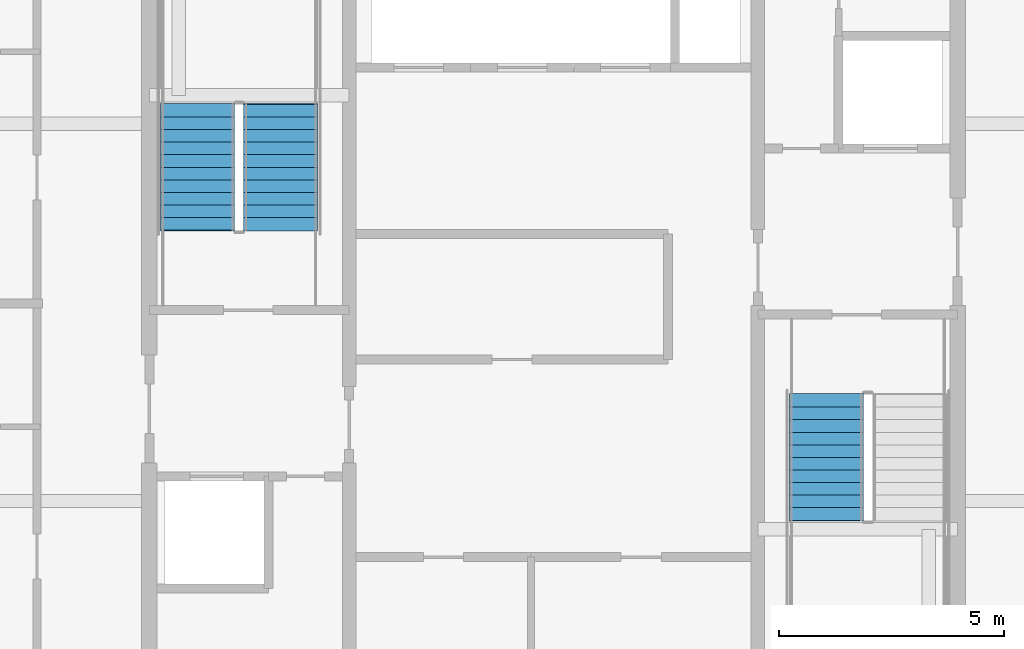
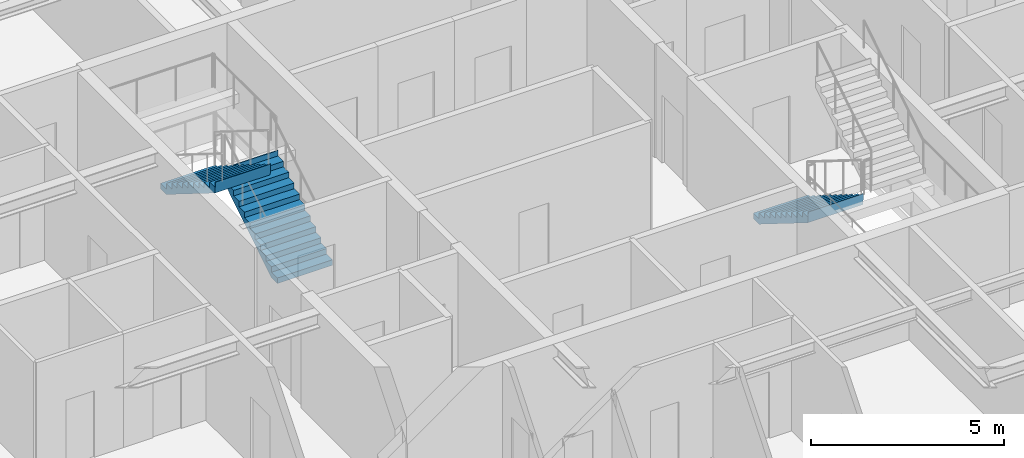
# One storey, part 32 of 38: 3 stair flights, 2 elements without a shape of their own.
"""IFC4 building model written with IfcOpenShell, lengths in metres."""

import ifcopenshell
import ifcopenshell.guid

model = None  # the IFC model being written
_history = None  # IfcOwnerHistory: only IFC2X3 demands one
_inside = {}  # id of a spatial element -> (the spatial element, [elements in it])
_under = {}  # id of a project, library or spatial element -> (it, [spatial elements below it])
_declared = {}  # id of a project -> (the project, [libraries it declares])
_typed = {}  # id of a type object -> (the type object, [elements of that type])
_made_of = {}  # id of a material, layer set ... -> (it, [elements and type objects made of it])


def new_model(schema):
    """Start an empty IFC model of exactly this schema.

    Asked for "IFC4X3", IfcOpenShell would pick the latest addendum, in which some entities
    have other attributes; the version numbers below select the first issue.
    IFC2X3 requires an IfcOwnerHistory on every rooted entity: one is made here for all.
    """
    global model, _history
    if schema == "IFC4X3":
        model = ifcopenshell.file(schema_version=(4, 3, 0, 0))
    else:
        model = ifcopenshell.file(schema=schema)
    _inside.clear()
    _under.clear()
    _declared.clear()
    _typed.clear()
    _made_of.clear()
    _history = None
    if model.schema == "IFC2X3":
        org = make("IfcOrganization", Name="unknown")
        user = make(
            "IfcPersonAndOrganization",
            ThePerson=make("IfcPerson", FamilyName="unknown"),
            TheOrganization=org,
        )
        app = make(
            "IfcApplication",
            ApplicationDeveloper=org,
            Version="unknown",
            ApplicationFullName="unknown",
            ApplicationIdentifier="unknown",
        )
        _history = make(
            "IfcOwnerHistory",
            OwningUser=user,
            OwningApplication=app,
            ChangeAction="ADDED",
            CreationDate=0,
        )
    return model


def make(cls, **values):
    """One entity of the class cls with the attributes given. An attribute that is None is left unset."""
    return model.create_entity(
        cls, **{name: value for name, value in values.items() if value is not None}
    )


def rooted(cls, **values):
    """An entity with a GlobalId (a new one), such as an element, a storey or a relation."""
    return make(cls, GlobalId=ifcopenshell.guid.new(), OwnerHistory=_history, **values)


def si_unit(unit_type, name, prefix=None):
    """IfcSIUnit, for example si_unit("LENGTHUNIT", "METRE", prefix="MILLI")."""
    return make("IfcSIUnit", UnitType=unit_type, Prefix=prefix, Name=name)


def assignment(units):
    """IfcUnitAssignment: the units of a project."""
    return None if units is None else make("IfcUnitAssignment", Units=units)


def point(xyz):
    """IfcCartesianPoint."""
    return None if xyz is None else make("IfcCartesianPoint", Coordinates=xyz)


def direction(xyz):
    """IfcDirection."""
    return None if xyz is None else make("IfcDirection", DirectionRatios=xyz)


def frame(location, z_axis=None, x_axis=None):
    """IfcAxis2Placement3D, a coordinate frame: its origin and axes. An axis left out is left unset."""
    return make(
        "IfcAxis2Placement3D",
        Location=point(location),
        Axis=direction(z_axis),
        RefDirection=direction(x_axis),
    )


def origin():
    """The frame at (0, 0, 0) with its axes left unset."""
    return frame((0.0, 0.0, 0.0))


def place(relative_to, where):
    """IfcLocalPlacement: puts the frame where relative to a parent placement (None: the world)."""
    return make(
        "IfcLocalPlacement", PlacementRelTo=relative_to, RelativePlacement=where
    )


def context(
    kind, dimensions, precision=None, world=None, true_north=None, identifier=None
):
    """IfcGeometricRepresentationContext, for example the 3D "Model" context."""
    return make(
        "IfcGeometricRepresentationContext",
        ContextIdentifier=identifier,
        ContextType=kind,
        CoordinateSpaceDimension=dimensions,
        Precision=precision,
        WorldCoordinateSystem=world,
        TrueNorth=true_north,
    )


def subcontext(parent, identifier, kind, view, scale=None):
    """IfcGeometricRepresentationSubContext, for example "Body" below "Model"."""
    return make(
        "IfcGeometricRepresentationSubContext",
        ContextIdentifier=identifier,
        ContextType=kind,
        ParentContext=parent,
        TargetScale=scale,
        TargetView=view,
    )


def project(units=None, contexts=None):
    """IfcProject with its units and contexts."""
    return rooted(
        "IfcProject",
        Name="project",
        RepresentationContexts=contexts,
        UnitsInContext=assignment(units),
    )


def spatial(cls, under=None, at=None, **own):
    """A site, building, storey or space (cls), placed at a placement, below another one or the project."""
    s = rooted(cls, ObjectPlacement=at, **own)
    if under is not None:
        _under.setdefault(under.id(), (under, []))[1].append(s)
    return s


def point_list(points):
    """IfcCartesianPointList2D or 3D."""
    cls = (
        "IfcCartesianPointList2D" if len(points[0]) == 2 else "IfcCartesianPointList3D"
    )
    return make(cls, CoordList=points)


def polygons(points, faces, closed=None, point_numbers=None):
    """IfcPolygonalFaceSet: a face is its outer loop, then its inner loops; points numbered from 1."""
    made = []
    for loops in faces:
        if len(loops) == 1:
            made.append(make("IfcIndexedPolygonalFace", CoordIndex=loops[0]))
        else:
            made.append(
                make(
                    "IfcIndexedPolygonalFaceWithVoids",
                    CoordIndex=loops[0],
                    InnerCoordIndices=loops[1:],
                )
            )
    return make(
        "IfcPolygonalFaceSet",
        Coordinates=point_list(points),
        Closed=closed,
        Faces=made,
        PnIndex=point_numbers,
    )


def shape(context_of_items, identifier, shape_type, items):
    """IfcShapeRepresentation: the items that make up one representation, for example the "Body"."""
    return make(
        "IfcShapeRepresentation",
        ContextOfItems=context_of_items,
        RepresentationIdentifier=identifier,
        RepresentationType=shape_type,
        Items=items,
    )


def material(Name=None, Category=None):
    """IfcMaterial."""
    return make("IfcMaterial", Name=Name, Category=Category)


def made_of(thing, what):
    """Note that an element or type object is made of a material, layer set ...; save() writes the relation."""
    if what is not None:
        _made_of.setdefault(what.id(), (what, []))[1].append(thing)
    return thing


def type_object(cls, material=None, **own):
    """A type object (cls), such as IfcWallType, which elements share."""
    return made_of(rooted(cls, **own), material)


def element(
    cls,
    number,
    at=None,
    inside=None,
    cuts=None,
    type_object=None,
    material=None,
    context=None,
    identifier="Body",
    shape_type=None,
    held_by="IfcProductDefinitionShape",
    body=None,
    shapes=None,
    **own,
):
    """One element of the class cls, such as IfcWall. Its Tag is "e" and its number.

    at: its placement. inside: the storey or other place that contains it. cuts: it is an
    opening in that element (IfcRelVoidsElement). A single representation is given by context,
    identifier, shape_type and body (its items); several are given by shapes. held_by: the class
    of the entity that holds the representations. save() writes the other relations.
    """
    e = rooted(cls, Tag="e%d" % number, ObjectPlacement=at, **own)
    if body is not None:
        shapes = [shape(context, identifier, shape_type, body)]
    if shapes is not None:
        e.Representation = make(held_by, Representations=shapes)
    if inside is not None:
        _inside.setdefault(inside.id(), (inside, []))[1].append(e)
    if cuts is not None:
        rooted(
            "IfcRelVoidsElement", RelatingBuildingElement=cuts, RelatedOpeningElement=e
        )
    if type_object is not None:
        _typed.setdefault(type_object.id(), (type_object, []))[1].append(e)
    return made_of(e, material)


def aggregate(whole, parts):
    """IfcRelAggregates: a whole, such as a stair, and the parts it consists of."""
    return rooted("IfcRelAggregates", RelatingObject=whole, RelatedObjects=parts)


def save(model, path):
    """Write the relations noted so far, then the file.

    IfcRelAggregates (storeys below a building ...), IfcRelContainedInSpatialStructure (elements
    in a storey), IfcRelDefinesByType, IfcRelAssociatesMaterial and IfcRelDeclares: one each for
    every whole, place, type object, material and project.
    """
    for whole, parts in _under.values():
        aggregate(whole, parts)
    for where, things in _inside.values():
        rooted(
            "IfcRelContainedInSpatialStructure",
            RelatedElements=things,
            RelatingStructure=where,
        )
    for kind, things in _typed.values():
        rooted("IfcRelDefinesByType", RelatedObjects=things, RelatingType=kind)
    for what, things in _made_of.values():
        rooted("IfcRelAssociatesMaterial", RelatedObjects=things, RelatingMaterial=what)
    for by, libraries in _declared.values():
        rooted("IfcRelDeclares", RelatingContext=by, RelatedDefinitions=libraries)
    model.write(path)


model = new_model("IFC4")

# Units and contexts
model_context = context("Model", 3, precision=1e-05, world=origin(), true_north=direction((0.0, 1.0)))
body_context = subcontext(model_context, "Body", "Model", "MODEL_VIEW")
ifc_project = project(units=[si_unit("LENGTHUNIT", "METRE"), si_unit("AREAUNIT", "SQUARE_METRE"), si_unit("VOLUMEUNIT", "CUBIC_METRE"), si_unit("PLANEANGLEUNIT", "RADIAN"), si_unit("MASSUNIT", "GRAM", prefix="KILO")], contexts=[model_context])

# Site, building, storey
site_placement = place(None, origin())
site = spatial("IfcSite", under=ifc_project, at=site_placement, CompositionType="ELEMENT")
building_placement = place(site_placement, origin())
building = spatial("IfcBuilding", under=site, at=building_placement, Name="Serunith Strait Residences", CompositionType="ELEMENT")
storey_placement = place(building_placement, frame((0.0, 0.0, 229.699951171875)))
storey = spatial("IfcBuildingStorey", under=building, at=storey_placement, Name="L57", CompositionType="ELEMENT", Elevation=229.699951171875)

# Stair, stair flights
ifc_material = material(Name="Concrete C50/60", Category="concrete")
stair_type_1 = type_object("IfcStairType", Name="STR-CORE-1", PredefinedType="HALF_TURN_STAIR", material=ifc_material)
stair_1_placement = place(storey_placement, origin())
stair_1 = element("IfcStair", 1, at=stair_1_placement, inside=storey, type_object=stair_type_1, Name="L57 Protected Escape Stair ST-1", PredefinedType="HALF_TURN_STAIR")
stair_flight_type_1 = type_object("IfcStairFlightType", Name="FLT-CORE-1", PredefinedType="STRAIGHT", material=ifc_material)
stair_flight_1_placement = place(storey_placement, frame((26.324951171875, 27.030029296875, 0.0), z_axis=(0.0, 0.0, 1.0), x_axis=(0.0, 1.0, 0.0)))
stair_flight_1 = element("IfcStairFlight", 2, at=stair_flight_1_placement, type_object=stair_flight_type_1, Name="ST-1 flight 1", NumberOfRisers=11, NumberOfTreads=10, PredefinedType="STRAIGHT", RiserHeight=0.175, TreadLength=0.28, context=body_context, shape_type="Tessellation", body=[
    polygons([(-0.02001953125, -0.824951171875, 0.0), (-0.02001953125, -0.824951171875, 0.175048828125), (0.280029296875, -0.824951171875, 0.175048828125), (0.280029296875, -0.824951171875, 0.35009765625), (0.56005859375, -0.824951171875, 0.35009765625), (0.56005859375, -0.824951171875, 0.52490234375), (0.840087890625, -0.824951171875, 0.52490234375), (0.840087890625, -0.824951171875, 0.699951171875), (1.1201171875, -0.824951171875, 0.699951171875), (1.1201171875, -0.824951171875, 0.875), (1.39990234375, -0.824951171875, 0.875), (1.39990234375, -0.824951171875, 1.050048828125), (1.679931640625, -0.824951171875, 1.050048828125), (1.679931640625, -0.824951171875, 1.22509765625), (1.9599609375, -0.824951171875, 1.22509765625), (1.9599609375, -0.824951171875, 1.39990234375), (2.239990234375, -0.824951171875, 1.39990234375), (2.239990234375, -0.824951171875, 1.574951171875), (2.52001953125, -0.824951171875, 1.574951171875), (2.52001953125, -0.824951171875, 1.75), (2.800048828125, -0.824951171875, 1.75), (2.800048828125, -0.824951171875, 1.925048828125), (2.820068359375, -0.824951171875, 1.925048828125), (2.820068359375, -0.824951171875, 1.864990234375), (2.800048828125, -0.824951171875, 1.5732421875), (0.28271484375, -0.824951171875, 0.0), (-0.02001953125, -0.41259765625, 0.0), (-0.02001953125, -0.41259765625, 0.175048828125), (0.280029296875, -0.41259765625, 0.175048828125), (0.280029296875, -0.41259765625, 0.35009765625), (0.56005859375, -0.41259765625, 0.35009765625), (0.56005859375, -0.41259765625, 0.52490234375), (0.840087890625, -0.41259765625, 0.52490234375), (0.840087890625, -0.41259765625, 0.699951171875), (1.1201171875, -0.41259765625, 0.699951171875), (1.1201171875, -0.41259765625, 0.875), (1.39990234375, -0.41259765625, 0.875), (1.39990234375, -0.41259765625, 1.050048828125), (1.679931640625, -0.41259765625, 1.050048828125), (1.679931640625, -0.41259765625, 1.22509765625), (1.9599609375, -0.41259765625, 1.22509765625), (1.9599609375, -0.41259765625, 1.39990234375), (2.239990234375, -0.41259765625, 1.39990234375), (2.239990234375, -0.41259765625, 1.574951171875), (2.52001953125, -0.41259765625, 1.574951171875), (2.52001953125, -0.41259765625, 1.75), (2.800048828125, -0.41259765625, 1.75), (2.800048828125, -0.41259765625, 1.925048828125), (2.820068359375, -0.41259765625, 1.925048828125), (2.820068359375, -0.41259765625, 1.864990234375), (2.800048828125, -0.41259765625, 1.5732421875), (0.28271484375, -0.41259765625, 0.0), (-0.02001953125, 0.0, 0.0), (-0.02001953125, 0.0, 0.175048828125), (0.280029296875, 0.0, 0.175048828125), (0.280029296875, 0.0, 0.35009765625), (0.56005859375, 0.0, 0.35009765625), (0.56005859375, 0.0, 0.52490234375), (0.840087890625, 0.0, 0.52490234375), (0.840087890625, 0.0, 0.699951171875), (1.1201171875, 0.0, 0.699951171875), (1.1201171875, 0.0, 0.875), (1.39990234375, 0.0, 0.875), (1.39990234375, 0.0, 1.050048828125), (1.679931640625, 0.0, 1.050048828125), (1.679931640625, 0.0, 1.22509765625), (1.9599609375, 0.0, 1.22509765625), (1.9599609375, 0.0, 1.39990234375), (2.239990234375, 0.0, 1.39990234375), (2.239990234375, 0.0, 1.574951171875), (2.52001953125, 0.0, 1.574951171875), (2.52001953125, 0.0, 1.75), (2.800048828125, 0.0, 1.75), (2.800048828125, 0.0, 1.925048828125), (2.820068359375, 0.0, 1.925048828125), (2.820068359375, 0.0, 1.864990234375), (2.800048828125, 0.0, 1.5732421875), (0.28271484375, 0.0, 0.0), (-0.02001953125, 0.41259765625, 0.0), (-0.02001953125, 0.41259765625, 0.175048828125), (0.280029296875, 0.41259765625, 0.175048828125), (0.280029296875, 0.41259765625, 0.35009765625), (0.56005859375, 0.41259765625, 0.35009765625), (0.56005859375, 0.41259765625, 0.52490234375), (0.840087890625, 0.41259765625, 0.52490234375), (0.840087890625, 0.41259765625, 0.699951171875), (1.1201171875, 0.41259765625, 0.699951171875), (1.1201171875, 0.41259765625, 0.875), (1.39990234375, 0.41259765625, 0.875), (1.39990234375, 0.41259765625, 1.050048828125), (1.679931640625, 0.41259765625, 1.050048828125), (1.679931640625, 0.41259765625, 1.22509765625), (1.9599609375, 0.41259765625, 1.22509765625), (1.9599609375, 0.41259765625, 1.39990234375), (2.239990234375, 0.41259765625, 1.39990234375), (2.239990234375, 0.41259765625, 1.574951171875), (2.52001953125, 0.41259765625, 1.574951171875), (2.52001953125, 0.41259765625, 1.75), (2.800048828125, 0.41259765625, 1.75), (2.800048828125, 0.41259765625, 1.925048828125), (2.820068359375, 0.41259765625, 1.925048828125), (2.820068359375, 0.41259765625, 1.864990234375), (2.800048828125, 0.41259765625, 1.5732421875), (0.28271484375, 0.41259765625, 0.0), (-0.02001953125, 0.824951171875, 0.0), (-0.02001953125, 0.824951171875, 0.175048828125), (0.280029296875, 0.824951171875, 0.175048828125), (0.280029296875, 0.824951171875, 0.35009765625), (0.56005859375, 0.824951171875, 0.35009765625), (0.56005859375, 0.824951171875, 0.52490234375), (0.840087890625, 0.824951171875, 0.52490234375), (0.840087890625, 0.824951171875, 0.699951171875), (1.1201171875, 0.824951171875, 0.699951171875), (1.1201171875, 0.824951171875, 0.875), (1.39990234375, 0.824951171875, 0.875), (1.39990234375, 0.824951171875, 1.050048828125), (1.679931640625, 0.824951171875, 1.050048828125), (1.679931640625, 0.824951171875, 1.22509765625), (1.9599609375, 0.824951171875, 1.22509765625), (1.9599609375, 0.824951171875, 1.39990234375), (2.239990234375, 0.824951171875, 1.39990234375), (2.239990234375, 0.824951171875, 1.574951171875), (2.52001953125, 0.824951171875, 1.574951171875), (2.52001953125, 0.824951171875, 1.75), (2.800048828125, 0.824951171875, 1.75), (2.800048828125, 0.824951171875, 1.925048828125), (2.820068359375, 0.824951171875, 1.925048828125), (2.820068359375, 0.824951171875, 1.864990234375), (2.800048828125, 0.824951171875, 1.5732421875), (0.28271484375, 0.824951171875, 0.0)], [[[1, 2, 28, 27]], [[2, 3, 29, 28]], [[3, 4, 30, 29]], [[4, 5, 31, 30]], [[5, 6, 32, 31]], [[6, 7, 33, 32]], [[7, 8, 34, 33]], [[8, 9, 35, 34]], [[9, 10, 36, 35]], [[10, 11, 37, 36]], [[11, 12, 38, 37]], [[12, 13, 39, 38]], [[13, 14, 40, 39]], [[14, 15, 41, 40]], [[15, 16, 42, 41]], [[16, 17, 43, 42]], [[17, 18, 44, 43]], [[18, 19, 45, 44]], [[19, 20, 46, 45]], [[20, 21, 47, 46]], [[21, 22, 48, 47]], [[22, 23, 49, 48]], [[23, 24, 50, 49]], [[24, 25, 51, 50]], [[25, 26, 52, 51]], [[26, 1, 27, 52]], [[27, 28, 54, 53]], [[28, 29, 55, 54]], [[29, 30, 56, 55]], [[30, 31, 57, 56]], [[31, 32, 58, 57]], [[32, 33, 59, 58]], [[33, 34, 60, 59]], [[34, 35, 61, 60]], [[35, 36, 62, 61]], [[36, 37, 63, 62]], [[37, 38, 64, 63]], [[38, 39, 65, 64]], [[39, 40, 66, 65]], [[40, 41, 67, 66]], [[41, 42, 68, 67]], [[42, 43, 69, 68]], [[43, 44, 70, 69]], [[44, 45, 71, 70]], [[45, 46, 72, 71]], [[46, 47, 73, 72]], [[47, 48, 74, 73]], [[48, 49, 75, 74]], [[49, 50, 76, 75]], [[50, 51, 77, 76]], [[51, 52, 78, 77]], [[52, 27, 53, 78]], [[53, 54, 80, 79]], [[54, 55, 81, 80]], [[55, 56, 82, 81]], [[56, 57, 83, 82]], [[57, 58, 84, 83]], [[58, 59, 85, 84]], [[59, 60, 86, 85]], [[60, 61, 87, 86]], [[61, 62, 88, 87]], [[62, 63, 89, 88]], [[63, 64, 90, 89]], [[64, 65, 91, 90]], [[65, 66, 92, 91]], [[66, 67, 93, 92]], [[67, 68, 94, 93]], [[68, 69, 95, 94]], [[69, 70, 96, 95]], [[70, 71, 97, 96]], [[71, 72, 98, 97]], [[72, 73, 99, 98]], [[73, 74, 100, 99]], [[74, 75, 101, 100]], [[75, 76, 102, 101]], [[76, 77, 103, 102]], [[77, 78, 104, 103]], [[78, 53, 79, 104]], [[79, 80, 106, 105]], [[80, 81, 107, 106]], [[81, 82, 108, 107]], [[82, 83, 109, 108]], [[83, 84, 110, 109]], [[84, 85, 111, 110]], [[85, 86, 112, 111]], [[86, 87, 113, 112]], [[87, 88, 114, 113]], [[88, 89, 115, 114]], [[89, 90, 116, 115]], [[90, 91, 117, 116]], [[91, 92, 118, 117]], [[92, 93, 119, 118]], [[93, 94, 120, 119]], [[94, 95, 121, 120]], [[95, 96, 122, 121]], [[96, 97, 123, 122]], [[97, 98, 124, 123]], [[98, 99, 125, 124]], [[99, 100, 126, 125]], [[100, 101, 127, 126]], [[101, 102, 128, 127]], [[102, 103, 129, 128]], [[103, 104, 130, 129]], [[104, 79, 105, 130]], [[26, 25, 24, 23, 22, 21, 20, 19, 18, 17, 16, 15, 14, 13, 12, 11, 10, 9, 8, 7, 6, 5, 4, 3, 2, 1]], [[105, 106, 107, 108, 109, 110, 111, 112, 113, 114, 115, 116, 117, 118, 119, 120, 121, 122, 123, 124, 125, 126, 127, 128, 129, 130]]], closed=True),
])
stair_flight_2_placement = place(storey_placement, frame((24.47509765625, 29.830078125, 1.925048828125), z_axis=(0.0, 0.0, 1.0), x_axis=(0.0, -1.0, 0.0)))
stair_flight_2 = element("IfcStairFlight", 3, at=stair_flight_2_placement, type_object=stair_flight_type_1, Name="ST-1 flight 2", NumberOfRisers=11, NumberOfTreads=10, PredefinedType="STRAIGHT", RiserHeight=0.175, TreadLength=0.28, context=body_context, shape_type="Tessellation", body=[
    polygons([(-0.02001953125, -0.824951171875, 0.0), (-0.02001953125, -0.824951171875, 0.175048828125), (0.280029296875, -0.824951171875, 0.175048828125), (0.280029296875, -0.824951171875, 0.35009765625), (0.56005859375, -0.824951171875, 0.35009765625), (0.56005859375, -0.824951171875, 0.52490234375), (0.840087890625, -0.824951171875, 0.52490234375), (0.840087890625, -0.824951171875, 0.699951171875), (1.1201171875, -0.824951171875, 0.699951171875), (1.1201171875, -0.824951171875, 0.875), (1.39990234375, -0.824951171875, 0.875), (1.39990234375, -0.824951171875, 1.050048828125), (1.679931640625, -0.824951171875, 1.050048828125), (1.679931640625, -0.824951171875, 1.22509765625), (1.9599609375, -0.824951171875, 1.22509765625), (1.9599609375, -0.824951171875, 1.39990234375), (2.239990234375, -0.824951171875, 1.39990234375), (2.239990234375, -0.824951171875, 1.574951171875), (2.52001953125, -0.824951171875, 1.574951171875), (2.52001953125, -0.824951171875, 1.75), (2.800048828125, -0.824951171875, 1.75), (2.800048828125, -0.824951171875, 1.925048828125), (2.820068359375, -0.824951171875, 1.925048828125), (2.820068359375, -0.824951171875, 1.864990234375), (2.800048828125, -0.824951171875, 1.5732421875), (0.28271484375, -0.824951171875, 0.0), (-0.02001953125, -0.41259765625, 0.0), (-0.02001953125, -0.41259765625, 0.175048828125), (0.280029296875, -0.41259765625, 0.175048828125), (0.280029296875, -0.41259765625, 0.35009765625), (0.56005859375, -0.41259765625, 0.35009765625), (0.56005859375, -0.41259765625, 0.52490234375), (0.840087890625, -0.41259765625, 0.52490234375), (0.840087890625, -0.41259765625, 0.699951171875), (1.1201171875, -0.41259765625, 0.699951171875), (1.1201171875, -0.41259765625, 0.875), (1.39990234375, -0.41259765625, 0.875), (1.39990234375, -0.41259765625, 1.050048828125), (1.679931640625, -0.41259765625, 1.050048828125), (1.679931640625, -0.41259765625, 1.22509765625), (1.9599609375, -0.41259765625, 1.22509765625), (1.9599609375, -0.41259765625, 1.39990234375), (2.239990234375, -0.41259765625, 1.39990234375), (2.239990234375, -0.41259765625, 1.574951171875), (2.52001953125, -0.41259765625, 1.574951171875), (2.52001953125, -0.41259765625, 1.75), (2.800048828125, -0.41259765625, 1.75), (2.800048828125, -0.41259765625, 1.925048828125), (2.820068359375, -0.41259765625, 1.925048828125), (2.820068359375, -0.41259765625, 1.864990234375), (2.800048828125, -0.41259765625, 1.5732421875), (0.28271484375, -0.41259765625, 0.0), (-0.02001953125, 0.0, 0.0), (-0.02001953125, 0.0, 0.175048828125), (0.280029296875, 0.0, 0.175048828125), (0.280029296875, 0.0, 0.35009765625), (0.56005859375, 0.0, 0.35009765625), (0.56005859375, 0.0, 0.52490234375), (0.840087890625, 0.0, 0.52490234375), (0.840087890625, 0.0, 0.699951171875), (1.1201171875, 0.0, 0.699951171875), (1.1201171875, 0.0, 0.875), (1.39990234375, 0.0, 0.875), (1.39990234375, 0.0, 1.050048828125), (1.679931640625, 0.0, 1.050048828125), (1.679931640625, 0.0, 1.22509765625), (1.9599609375, 0.0, 1.22509765625), (1.9599609375, 0.0, 1.39990234375), (2.239990234375, 0.0, 1.39990234375), (2.239990234375, 0.0, 1.574951171875), (2.52001953125, 0.0, 1.574951171875), (2.52001953125, 0.0, 1.75), (2.800048828125, 0.0, 1.75), (2.800048828125, 0.0, 1.925048828125), (2.820068359375, 0.0, 1.925048828125), (2.820068359375, 0.0, 1.864990234375), (2.800048828125, 0.0, 1.5732421875), (0.28271484375, 0.0, 0.0), (-0.02001953125, 0.41259765625, 0.0), (-0.02001953125, 0.41259765625, 0.175048828125), (0.280029296875, 0.41259765625, 0.175048828125), (0.280029296875, 0.41259765625, 0.35009765625), (0.56005859375, 0.41259765625, 0.35009765625), (0.56005859375, 0.41259765625, 0.52490234375), (0.840087890625, 0.41259765625, 0.52490234375), (0.840087890625, 0.41259765625, 0.699951171875), (1.1201171875, 0.41259765625, 0.699951171875), (1.1201171875, 0.41259765625, 0.875), (1.39990234375, 0.41259765625, 0.875), (1.39990234375, 0.41259765625, 1.050048828125), (1.679931640625, 0.41259765625, 1.050048828125), (1.679931640625, 0.41259765625, 1.22509765625), (1.9599609375, 0.41259765625, 1.22509765625), (1.9599609375, 0.41259765625, 1.39990234375), (2.239990234375, 0.41259765625, 1.39990234375), (2.239990234375, 0.41259765625, 1.574951171875), (2.52001953125, 0.41259765625, 1.574951171875), (2.52001953125, 0.41259765625, 1.75), (2.800048828125, 0.41259765625, 1.75), (2.800048828125, 0.41259765625, 1.925048828125), (2.820068359375, 0.41259765625, 1.925048828125), (2.820068359375, 0.41259765625, 1.864990234375), (2.800048828125, 0.41259765625, 1.5732421875), (0.28271484375, 0.41259765625, 0.0), (-0.02001953125, 0.824951171875, 0.0), (-0.02001953125, 0.824951171875, 0.175048828125), (0.280029296875, 0.824951171875, 0.175048828125), (0.280029296875, 0.824951171875, 0.35009765625), (0.56005859375, 0.824951171875, 0.35009765625), (0.56005859375, 0.824951171875, 0.52490234375), (0.840087890625, 0.824951171875, 0.52490234375), (0.840087890625, 0.824951171875, 0.699951171875), (1.1201171875, 0.824951171875, 0.699951171875), (1.1201171875, 0.824951171875, 0.875), (1.39990234375, 0.824951171875, 0.875), (1.39990234375, 0.824951171875, 1.050048828125), (1.679931640625, 0.824951171875, 1.050048828125), (1.679931640625, 0.824951171875, 1.22509765625), (1.9599609375, 0.824951171875, 1.22509765625), (1.9599609375, 0.824951171875, 1.39990234375), (2.239990234375, 0.824951171875, 1.39990234375), (2.239990234375, 0.824951171875, 1.574951171875), (2.52001953125, 0.824951171875, 1.574951171875), (2.52001953125, 0.824951171875, 1.75), (2.800048828125, 0.824951171875, 1.75), (2.800048828125, 0.824951171875, 1.925048828125), (2.820068359375, 0.824951171875, 1.925048828125), (2.820068359375, 0.824951171875, 1.864990234375), (2.800048828125, 0.824951171875, 1.5732421875), (0.28271484375, 0.824951171875, 0.0)], [[[1, 2, 28, 27]], [[2, 3, 29, 28]], [[3, 4, 30, 29]], [[4, 5, 31, 30]], [[5, 6, 32, 31]], [[6, 7, 33, 32]], [[7, 8, 34, 33]], [[8, 9, 35, 34]], [[9, 10, 36, 35]], [[10, 11, 37, 36]], [[11, 12, 38, 37]], [[12, 13, 39, 38]], [[13, 14, 40, 39]], [[14, 15, 41, 40]], [[15, 16, 42, 41]], [[16, 17, 43, 42]], [[17, 18, 44, 43]], [[18, 19, 45, 44]], [[19, 20, 46, 45]], [[20, 21, 47, 46]], [[21, 22, 48, 47]], [[22, 23, 49, 48]], [[23, 24, 50, 49]], [[24, 25, 51, 50]], [[25, 26, 52, 51]], [[26, 1, 27, 52]], [[27, 28, 54, 53]], [[28, 29, 55, 54]], [[29, 30, 56, 55]], [[30, 31, 57, 56]], [[31, 32, 58, 57]], [[32, 33, 59, 58]], [[33, 34, 60, 59]], [[34, 35, 61, 60]], [[35, 36, 62, 61]], [[36, 37, 63, 62]], [[37, 38, 64, 63]], [[38, 39, 65, 64]], [[39, 40, 66, 65]], [[40, 41, 67, 66]], [[41, 42, 68, 67]], [[42, 43, 69, 68]], [[43, 44, 70, 69]], [[44, 45, 71, 70]], [[45, 46, 72, 71]], [[46, 47, 73, 72]], [[47, 48, 74, 73]], [[48, 49, 75, 74]], [[49, 50, 76, 75]], [[50, 51, 77, 76]], [[51, 52, 78, 77]], [[52, 27, 53, 78]], [[53, 54, 80, 79]], [[54, 55, 81, 80]], [[55, 56, 82, 81]], [[56, 57, 83, 82]], [[57, 58, 84, 83]], [[58, 59, 85, 84]], [[59, 60, 86, 85]], [[60, 61, 87, 86]], [[61, 62, 88, 87]], [[62, 63, 89, 88]], [[63, 64, 90, 89]], [[64, 65, 91, 90]], [[65, 66, 92, 91]], [[66, 67, 93, 92]], [[67, 68, 94, 93]], [[68, 69, 95, 94]], [[69, 70, 96, 95]], [[70, 71, 97, 96]], [[71, 72, 98, 97]], [[72, 73, 99, 98]], [[73, 74, 100, 99]], [[74, 75, 101, 100]], [[75, 76, 102, 101]], [[76, 77, 103, 102]], [[77, 78, 104, 103]], [[78, 53, 79, 104]], [[79, 80, 106, 105]], [[80, 81, 107, 106]], [[81, 82, 108, 107]], [[82, 83, 109, 108]], [[83, 84, 110, 109]], [[84, 85, 111, 110]], [[85, 86, 112, 111]], [[86, 87, 113, 112]], [[87, 88, 114, 113]], [[88, 89, 115, 114]], [[89, 90, 116, 115]], [[90, 91, 117, 116]], [[91, 92, 118, 117]], [[92, 93, 119, 118]], [[93, 94, 120, 119]], [[94, 95, 121, 120]], [[95, 96, 122, 121]], [[96, 97, 123, 122]], [[97, 98, 124, 123]], [[98, 99, 125, 124]], [[99, 100, 126, 125]], [[100, 101, 127, 126]], [[101, 102, 128, 127]], [[102, 103, 129, 128]], [[103, 104, 130, 129]], [[104, 79, 105, 130]], [[26, 25, 24, 23, 22, 21, 20, 19, 18, 17, 16, 15, 14, 13, 12, 11, 10, 9, 8, 7, 6, 5, 4, 3, 2, 1]], [[105, 106, 107, 108, 109, 110, 111, 112, 113, 114, 115, 116, 117, 118, 119, 120, 121, 122, 123, 124, 125, 126, 127, 128, 129, 130]]], closed=True),
])
aggregate(stair_1, [stair_flight_1, stair_flight_2])

# Stair, stair flight
stair_type_2 = type_object("IfcStairType", Name="STR-CORE-2", PredefinedType="HALF_TURN_STAIR", material=ifc_material)
stair_2_placement = place(storey_placement, origin())
stair_2 = element("IfcStair", 4, at=stair_2_placement, inside=storey, type_object=stair_type_2, Name="L57 Protected Escape Stair ST-2", PredefinedType="HALF_TURN_STAIR")
stair_flight_type_2 = type_object("IfcStairFlightType", Name="FLT-CORE-2", PredefinedType="STRAIGHT", material=ifc_material)
stair_flight_3_placement = place(storey_placement, frame((38.47509765625, 23.3701171875, 0.0), z_axis=(0.0, 0.0, 1.0), x_axis=(0.0, -1.0, 0.0)))
stair_flight_3 = element("IfcStairFlight", 5, at=stair_flight_3_placement, type_object=stair_flight_type_2, Name="ST-2 flight 1", NumberOfRisers=11, NumberOfTreads=10, PredefinedType="STRAIGHT", RiserHeight=0.175, TreadLength=0.28, context=body_context, shape_type="Tessellation", body=[
    polygons([(-0.02001953125, -0.824951171875, 0.0), (-0.02001953125, -0.824951171875, 0.175048828125), (0.280029296875, -0.824951171875, 0.175048828125), (0.280029296875, -0.824951171875, 0.35009765625), (0.56005859375, -0.824951171875, 0.35009765625), (0.56005859375, -0.824951171875, 0.52490234375), (0.840087890625, -0.824951171875, 0.52490234375), (0.840087890625, -0.824951171875, 0.699951171875), (1.1201171875, -0.824951171875, 0.699951171875), (1.1201171875, -0.824951171875, 0.875), (1.39990234375, -0.824951171875, 0.875), (1.39990234375, -0.824951171875, 1.050048828125), (1.679931640625, -0.824951171875, 1.050048828125), (1.679931640625, -0.824951171875, 1.22509765625), (1.9599609375, -0.824951171875, 1.22509765625), (1.9599609375, -0.824951171875, 1.39990234375), (2.239990234375, -0.824951171875, 1.39990234375), (2.239990234375, -0.824951171875, 1.574951171875), (2.52001953125, -0.824951171875, 1.574951171875), (2.52001953125, -0.824951171875, 1.75), (2.800048828125, -0.824951171875, 1.75), (2.800048828125, -0.824951171875, 1.925048828125), (2.820068359375, -0.824951171875, 1.925048828125), (2.820068359375, -0.824951171875, 1.864990234375), (2.800048828125, -0.824951171875, 1.5732421875), (0.28271484375, -0.824951171875, 0.0), (-0.02001953125, -0.41259765625, 0.0), (-0.02001953125, -0.41259765625, 0.175048828125), (0.280029296875, -0.41259765625, 0.175048828125), (0.280029296875, -0.41259765625, 0.35009765625), (0.56005859375, -0.41259765625, 0.35009765625), (0.56005859375, -0.41259765625, 0.52490234375), (0.840087890625, -0.41259765625, 0.52490234375), (0.840087890625, -0.41259765625, 0.699951171875), (1.1201171875, -0.41259765625, 0.699951171875), (1.1201171875, -0.41259765625, 0.875), (1.39990234375, -0.41259765625, 0.875), (1.39990234375, -0.41259765625, 1.050048828125), (1.679931640625, -0.41259765625, 1.050048828125), (1.679931640625, -0.41259765625, 1.22509765625), (1.9599609375, -0.41259765625, 1.22509765625), (1.9599609375, -0.41259765625, 1.39990234375), (2.239990234375, -0.41259765625, 1.39990234375), (2.239990234375, -0.41259765625, 1.574951171875), (2.52001953125, -0.41259765625, 1.574951171875), (2.52001953125, -0.41259765625, 1.75), (2.800048828125, -0.41259765625, 1.75), (2.800048828125, -0.41259765625, 1.925048828125), (2.820068359375, -0.41259765625, 1.925048828125), (2.820068359375, -0.41259765625, 1.864990234375), (2.800048828125, -0.41259765625, 1.5732421875), (0.28271484375, -0.41259765625, 0.0), (-0.02001953125, 0.0, 0.0), (-0.02001953125, 0.0, 0.175048828125), (0.280029296875, 0.0, 0.175048828125), (0.280029296875, 0.0, 0.35009765625), (0.56005859375, 0.0, 0.35009765625), (0.56005859375, 0.0, 0.52490234375), (0.840087890625, 0.0, 0.52490234375), (0.840087890625, 0.0, 0.699951171875), (1.1201171875, 0.0, 0.699951171875), (1.1201171875, 0.0, 0.875), (1.39990234375, 0.0, 0.875), (1.39990234375, 0.0, 1.050048828125), (1.679931640625, 0.0, 1.050048828125), (1.679931640625, 0.0, 1.22509765625), (1.9599609375, 0.0, 1.22509765625), (1.9599609375, 0.0, 1.39990234375), (2.239990234375, 0.0, 1.39990234375), (2.239990234375, 0.0, 1.574951171875), (2.52001953125, 0.0, 1.574951171875), (2.52001953125, 0.0, 1.75), (2.800048828125, 0.0, 1.75), (2.800048828125, 0.0, 1.925048828125), (2.820068359375, 0.0, 1.925048828125), (2.820068359375, 0.0, 1.864990234375), (2.800048828125, 0.0, 1.5732421875), (0.28271484375, 0.0, 0.0), (-0.02001953125, 0.41259765625, 0.0), (-0.02001953125, 0.41259765625, 0.175048828125), (0.280029296875, 0.41259765625, 0.175048828125), (0.280029296875, 0.41259765625, 0.35009765625), (0.56005859375, 0.41259765625, 0.35009765625), (0.56005859375, 0.41259765625, 0.52490234375), (0.840087890625, 0.41259765625, 0.52490234375), (0.840087890625, 0.41259765625, 0.699951171875), (1.1201171875, 0.41259765625, 0.699951171875), (1.1201171875, 0.41259765625, 0.875), (1.39990234375, 0.41259765625, 0.875), (1.39990234375, 0.41259765625, 1.050048828125), (1.679931640625, 0.41259765625, 1.050048828125), (1.679931640625, 0.41259765625, 1.22509765625), (1.9599609375, 0.41259765625, 1.22509765625), (1.9599609375, 0.41259765625, 1.39990234375), (2.239990234375, 0.41259765625, 1.39990234375), (2.239990234375, 0.41259765625, 1.574951171875), (2.52001953125, 0.41259765625, 1.574951171875), (2.52001953125, 0.41259765625, 1.75), (2.800048828125, 0.41259765625, 1.75), (2.800048828125, 0.41259765625, 1.925048828125), (2.820068359375, 0.41259765625, 1.925048828125), (2.820068359375, 0.41259765625, 1.864990234375), (2.800048828125, 0.41259765625, 1.5732421875), (0.28271484375, 0.41259765625, 0.0), (-0.02001953125, 0.824951171875, 0.0), (-0.02001953125, 0.824951171875, 0.175048828125), (0.280029296875, 0.824951171875, 0.175048828125), (0.280029296875, 0.824951171875, 0.35009765625), (0.56005859375, 0.824951171875, 0.35009765625), (0.56005859375, 0.824951171875, 0.52490234375), (0.840087890625, 0.824951171875, 0.52490234375), (0.840087890625, 0.824951171875, 0.699951171875), (1.1201171875, 0.824951171875, 0.699951171875), (1.1201171875, 0.824951171875, 0.875), (1.39990234375, 0.824951171875, 0.875), (1.39990234375, 0.824951171875, 1.050048828125), (1.679931640625, 0.824951171875, 1.050048828125), (1.679931640625, 0.824951171875, 1.22509765625), (1.9599609375, 0.824951171875, 1.22509765625), (1.9599609375, 0.824951171875, 1.39990234375), (2.239990234375, 0.824951171875, 1.39990234375), (2.239990234375, 0.824951171875, 1.574951171875), (2.52001953125, 0.824951171875, 1.574951171875), (2.52001953125, 0.824951171875, 1.75), (2.800048828125, 0.824951171875, 1.75), (2.800048828125, 0.824951171875, 1.925048828125), (2.820068359375, 0.824951171875, 1.925048828125), (2.820068359375, 0.824951171875, 1.864990234375), (2.800048828125, 0.824951171875, 1.5732421875), (0.28271484375, 0.824951171875, 0.0)], [[[1, 2, 28, 27]], [[2, 3, 29, 28]], [[3, 4, 30, 29]], [[4, 5, 31, 30]], [[5, 6, 32, 31]], [[6, 7, 33, 32]], [[7, 8, 34, 33]], [[8, 9, 35, 34]], [[9, 10, 36, 35]], [[10, 11, 37, 36]], [[11, 12, 38, 37]], [[12, 13, 39, 38]], [[13, 14, 40, 39]], [[14, 15, 41, 40]], [[15, 16, 42, 41]], [[16, 17, 43, 42]], [[17, 18, 44, 43]], [[18, 19, 45, 44]], [[19, 20, 46, 45]], [[20, 21, 47, 46]], [[21, 22, 48, 47]], [[22, 23, 49, 48]], [[23, 24, 50, 49]], [[24, 25, 51, 50]], [[25, 26, 52, 51]], [[26, 1, 27, 52]], [[27, 28, 54, 53]], [[28, 29, 55, 54]], [[29, 30, 56, 55]], [[30, 31, 57, 56]], [[31, 32, 58, 57]], [[32, 33, 59, 58]], [[33, 34, 60, 59]], [[34, 35, 61, 60]], [[35, 36, 62, 61]], [[36, 37, 63, 62]], [[37, 38, 64, 63]], [[38, 39, 65, 64]], [[39, 40, 66, 65]], [[40, 41, 67, 66]], [[41, 42, 68, 67]], [[42, 43, 69, 68]], [[43, 44, 70, 69]], [[44, 45, 71, 70]], [[45, 46, 72, 71]], [[46, 47, 73, 72]], [[47, 48, 74, 73]], [[48, 49, 75, 74]], [[49, 50, 76, 75]], [[50, 51, 77, 76]], [[51, 52, 78, 77]], [[52, 27, 53, 78]], [[53, 54, 80, 79]], [[54, 55, 81, 80]], [[55, 56, 82, 81]], [[56, 57, 83, 82]], [[57, 58, 84, 83]], [[58, 59, 85, 84]], [[59, 60, 86, 85]], [[60, 61, 87, 86]], [[61, 62, 88, 87]], [[62, 63, 89, 88]], [[63, 64, 90, 89]], [[64, 65, 91, 90]], [[65, 66, 92, 91]], [[66, 67, 93, 92]], [[67, 68, 94, 93]], [[68, 69, 95, 94]], [[69, 70, 96, 95]], [[70, 71, 97, 96]], [[71, 72, 98, 97]], [[72, 73, 99, 98]], [[73, 74, 100, 99]], [[74, 75, 101, 100]], [[75, 76, 102, 101]], [[76, 77, 103, 102]], [[77, 78, 104, 103]], [[78, 53, 79, 104]], [[79, 80, 106, 105]], [[80, 81, 107, 106]], [[81, 82, 108, 107]], [[82, 83, 109, 108]], [[83, 84, 110, 109]], [[84, 85, 111, 110]], [[85, 86, 112, 111]], [[86, 87, 113, 112]], [[87, 88, 114, 113]], [[88, 89, 115, 114]], [[89, 90, 116, 115]], [[90, 91, 117, 116]], [[91, 92, 118, 117]], [[92, 93, 119, 118]], [[93, 94, 120, 119]], [[94, 95, 121, 120]], [[95, 96, 122, 121]], [[96, 97, 123, 122]], [[97, 98, 124, 123]], [[98, 99, 125, 124]], [[99, 100, 126, 125]], [[100, 101, 127, 126]], [[101, 102, 128, 127]], [[102, 103, 129, 128]], [[103, 104, 130, 129]], [[104, 79, 105, 130]], [[26, 25, 24, 23, 22, 21, 20, 19, 18, 17, 16, 15, 14, 13, 12, 11, 10, 9, 8, 7, 6, 5, 4, 3, 2, 1]], [[105, 106, 107, 108, 109, 110, 111, 112, 113, 114, 115, 116, 117, 118, 119, 120, 121, 122, 123, 124, 125, 126, 127, 128, 129, 130]]], closed=True),
])
aggregate(stair_2, [stair_flight_3])

save(model, "model.ifc")
